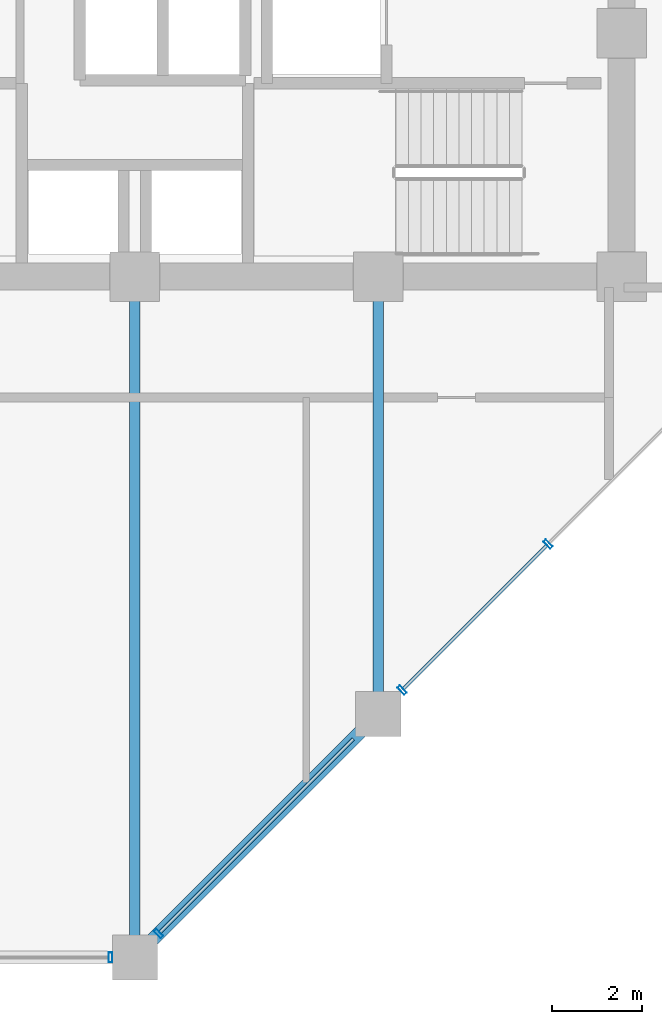
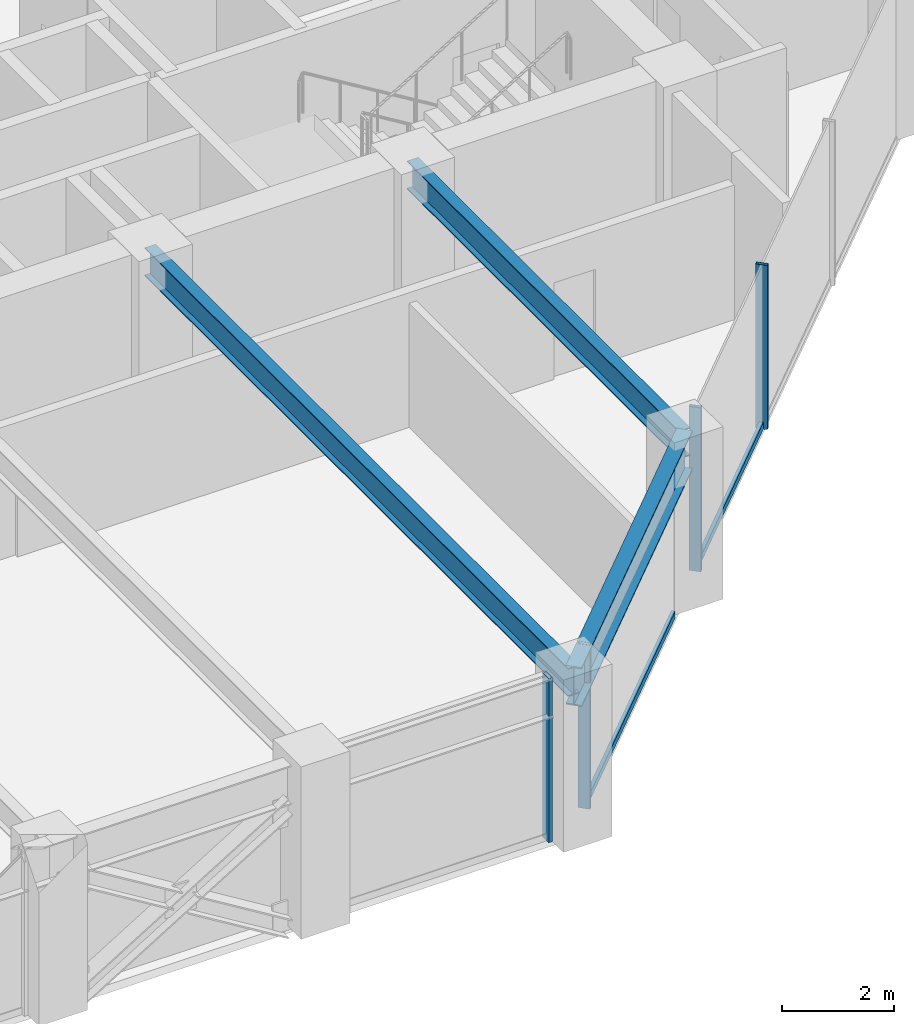
# One storey, part 7 of 25: 6 members, 3 beams, 2 elements without a shape of their own.
"""IFC4 building model written with IfcOpenShell, lengths in metres."""

from ifc_helpers import new_model, si_unit, direction, frame, origin, origin_2d, place, context, subcontext, project, spatial, hollow_rectangle, i_section, extrude, material, layer, layer_set, material_profile, profile_set, type_object, element, aggregate, save


model = new_model("IFC4")

# Units and contexts
model_context = context("Model", 3, precision=1e-05, world=origin(), true_north=direction((0.0, 1.0)))
body_context = subcontext(model_context, "Body", "Model", "MODEL_VIEW")
ifc_project = project(units=[si_unit("LENGTHUNIT", "METRE"), si_unit("AREAUNIT", "SQUARE_METRE"), si_unit("VOLUMEUNIT", "CUBIC_METRE"), si_unit("PLANEANGLEUNIT", "RADIAN"), si_unit("MASSUNIT", "GRAM", prefix="KILO")], contexts=[model_context])

# Site, building, storey
site_placement = place(None, origin())
site = spatial("IfcSite", under=ifc_project, at=site_placement, CompositionType="ELEMENT")
building_placement = place(site_placement, origin())
building = spatial("IfcBuilding", under=site, at=building_placement, Name="Surkhivell Harbour Commons", CompositionType="ELEMENT")
storey_placement = place(building_placement, frame((0.0, 0.0, 139.5)))
storey = spatial("IfcBuildingStorey", under=building, at=storey_placement, Name="L36", CompositionType="ELEMENT", Elevation=139.5)

# Beams
ifc_material_1 = material(Name="Steel S355", Category="steel")
ifc_material_profile_1 = material_profile(ifc_material_1, i_section(OverallWidth=0.22998046875, OverallDepth=0.616943359375, WebThickness=0.01318359375, FlangeThickness=0.022216796875, at=origin_2d()), Name="UB610x229x140")
ifc_profile_set_1 = profile_set([ifc_material_profile_1], Name="Steel S355")
beam_type_1 = type_object("IfcBeamType", Name="BM-GRD-610B", PredefinedType="BEAM", material=ifc_profile_set_1)
beam_1_placement = place(storey_placement, frame((0.0, -25.89990234375, 3.261474609375), z_axis=(0.0, 1.0, 0.0), x_axis=(-1.0, 0.0, 0.0)))
element("IfcBeam", 1, at=beam_1_placement, inside=storey, type_object=beam_type_1, Name="L36 Floor Girder (0.0,-25.9)", PredefinedType="BEAM", context=body_context, shape_type="SweptSolid", body=[
    extrude(i_section(OverallWidth=0.22998046875, OverallDepth=0.616943359375, WebThickness=0.01318359375, FlangeThickness=0.022216796875, at=origin_2d()), origin(), (0.0, 0.0, 1.0), 15.099853515625),
])
beam_2_placement = place(storey_placement, frame((5.39990234375, -20.5, 3.261474609375), z_axis=(0.0, 1.0, 0.0), x_axis=(-1.0, 0.0, 0.0)))
element("IfcBeam", 2, at=beam_2_placement, inside=storey, type_object=beam_type_1, Name="L36 Floor Girder (5.4,-20.5)", PredefinedType="BEAM", context=body_context, shape_type="SweptSolid", body=[
    extrude(i_section(OverallWidth=0.22998046875, OverallDepth=0.616943359375, WebThickness=0.01318359375, FlangeThickness=0.022216796875, at=origin_2d()), origin(), (0.0, 0.0, 1.0), 9.699951171875),
])
ifc_material_2 = material(Name="Steel S460", Category="steel")
ifc_material_profile_2 = material_profile(ifc_material_2, i_section(OverallWidth=0.2939453125, OverallDepth=0.85107421875, WebThickness=0.01611328125, FlangeThickness=0.02685546875, at=origin_2d()), Name="UB838x292x226")
ifc_profile_set_2 = profile_set([ifc_material_profile_2], Name="Steel S460")
beam_type_2 = type_object("IfcBeamType", Name="BM-SPN-838", PredefinedType="SPANDREL", material=ifc_profile_set_2)
beam_3_placement = place(storey_placement, frame((0.0, -25.89990234375, 3.14453125), z_axis=(0.707106781187, 0.707106781187, 0.0), x_axis=(-0.707106781187, 0.707106781187, 0.0)))
element("IfcBeam", 3, at=beam_3_placement, inside=storey, type_object=beam_type_2, Name="L36 Tube Spandrel (-0.0,-25.9)", PredefinedType="SPANDREL", context=body_context, shape_type="SweptSolid", body=[
    extrude(i_section(OverallWidth=0.2939453125, OverallDepth=0.85107421875, WebThickness=0.01611328125, FlangeThickness=0.02685546875, at=origin_2d()), origin(), (0.0, 0.0, 1.0), 7.63671875),
])

# Curtain wall, member
ifc_material_3 = material(Name="Anodised pale-metal aluminium and insulated glazing", Category="aluminium")
ifc_layer = layer(ifc_material_3, 0.205078125)
ifc_layer_set = layer_set([ifc_layer], Name="Anodised pale-metal aluminium and insulated glazing")
curtain_wall_type = type_object("IfcCurtainWallType", Name="CW-SYS-Z2", PredefinedType="NOTDEFINED", material=ifc_layer_set)
curtain_wall_1_placement = place(storey_placement, origin())
curtain_wall_1 = element("IfcCurtainWall", 4, at=curtain_wall_1_placement, inside=storey, type_object=curtain_wall_type, Name="L36 Curtain Wall CW-L36-E00S2", PredefinedType="NOTDEFINED")
ifc_material_4 = material(Name="Anodised pale-metal aluminium alloy 6063-T6", Category="aluminium")
ifc_material_profile_3 = material_profile(ifc_material_4, hollow_rectangle(XDim=0.074951171875, YDim=0.219970703125, WallThickness=0.00390625, at=origin_2d()), Name="ALU-MULL-75x220")
ifc_profile_set_3 = profile_set([ifc_material_profile_3], Name="Anodised pale-metal aluminium alloy 6063-T6")
member_type_1 = type_object("IfcMemberType", Name="CWM-220", PredefinedType="MULLION", material=ifc_profile_set_3)
member_1_placement = place(storey_placement, frame((-0.53955078125, -25.89990234375, 0.0), z_axis=(0.0, 0.0, 1.0), x_axis=(1.0, 0.0, 0.0)))
member_1 = element("IfcMember", 5, at=member_1_placement, type_object=member_type_1, Name="CW-Z2 mullion 2", PredefinedType="MULLION", context=body_context, shape_type="SweptSolid", body=[
    extrude(hollow_rectangle(XDim=0.074951171875, YDim=0.219970703125, WallThickness=0.00390625, at=origin_2d()), origin(), (0.0, 0.0, 1.0), 3.570068359375),
])
aggregate(curtain_wall_1, [member_1])

# Curtain wall, members
curtain_wall_2_placement = place(storey_placement, origin())
curtain_wall_2 = element("IfcCurtainWall", 6, at=curtain_wall_2_placement, inside=storey, type_object=curtain_wall_type, Name="L36 Curtain Wall CW-L36-E01", PredefinedType="NOTDEFINED")
member_2_placement = place(storey_placement, frame((0.5283203125, -25.371826171875, 0.0), z_axis=(0.0, 0.0, 1.0), x_axis=(0.707106781187, 0.707106781187, 0.0)))
member_2 = element("IfcMember", 7, at=member_2_placement, type_object=member_type_1, Name="CW-Z2 mullion 1", PredefinedType="MULLION", context=body_context, shape_type="SweptSolid", body=[
    extrude(hollow_rectangle(XDim=0.074951171875, YDim=0.219970703125, WallThickness=0.00390625, at=origin_2d()), origin(), (0.0, 0.0, 1.0), 3.570068359375),
])
member_3_placement = place(storey_placement, frame((5.92822265625, -19.9716796875, 0.0), z_axis=(0.0, 0.0, 1.0), x_axis=(0.707106781187, 0.707106781187, 0.0)))
member_3 = element("IfcMember", 8, at=member_3_placement, type_object=member_type_1, Name="CW-Z2 mullion 2", PredefinedType="MULLION", context=body_context, shape_type="SweptSolid", body=[
    extrude(hollow_rectangle(XDim=0.074951171875, YDim=0.219970703125, WallThickness=0.00390625, at=origin_2d()), origin(), (0.0, 0.0, 1.0), 3.570068359375),
])
member_4_placement = place(storey_placement, frame((9.167236328125, -16.732666015625, 0.0), z_axis=(0.0, 0.0, 1.0), x_axis=(0.707106781187, 0.707106781187, 0.0)))
member_4 = element("IfcMember", 9, at=member_4_placement, type_object=member_type_1, Name="CW-Z2 mullion 3", PredefinedType="MULLION", context=body_context, shape_type="SweptSolid", body=[
    extrude(hollow_rectangle(XDim=0.074951171875, YDim=0.219970703125, WallThickness=0.00390625, at=origin_2d()), origin(), (0.0, 0.0, 1.0), 3.570068359375),
])
ifc_material_profile_4 = material_profile(ifc_material_4, hollow_rectangle(XDim=0.074951171875, YDim=0.14990234375, WallThickness=0.00341796875, at=origin_2d()), Name="ALU-TRAN-75x150")
ifc_profile_set_4 = profile_set([ifc_material_profile_4], Name="Anodised pale-metal aluminium alloy 6063-T6")
member_type_2 = type_object("IfcMemberType", Name="CWT-150", PredefinedType="USERDEFINED", material=ifc_profile_set_4)
member_5_placement = place(storey_placement, frame((0.5546875, -25.34521484375, 0.074951171875), z_axis=(0.707106781187, 0.707106781187, 0.0), x_axis=(-0.707106781187, 0.707106781187, 0.0)))
member_5 = element("IfcMember", 10, at=member_5_placement, type_object=member_type_2, Name="CW-Z2 transom 1.1", ObjectType="TRANSOM", PredefinedType="USERDEFINED", context=body_context, shape_type="SweptSolid", body=[
    extrude(hollow_rectangle(XDim=0.074951171875, YDim=0.14990234375, WallThickness=0.00341796875, at=origin_2d()), origin(), (0.0, 0.0, 1.0), 6.067626953125),
])
member_6_placement = place(storey_placement, frame((5.954833984375, -19.9453125, 0.074951171875), z_axis=(0.707079687416, 0.707133873919, 0.0), x_axis=(-0.707133873919, 0.707079687416, 0.0)))
member_6 = element("IfcMember", 11, at=member_6_placement, type_object=member_type_2, Name="CW-Z2 transom 2.1", ObjectType="TRANSOM", PredefinedType="USERDEFINED", context=body_context, shape_type="SweptSolid", body=[
    extrude(hollow_rectangle(XDim=0.074951171875, YDim=0.14990234375, WallThickness=0.00341796875, at=origin_2d()), origin(), (0.0, 0.0, 1.0), 4.505615234375),
])
aggregate(curtain_wall_2, [member_2, member_5, member_3, member_4, member_6])

save(model, "model.ifc")
